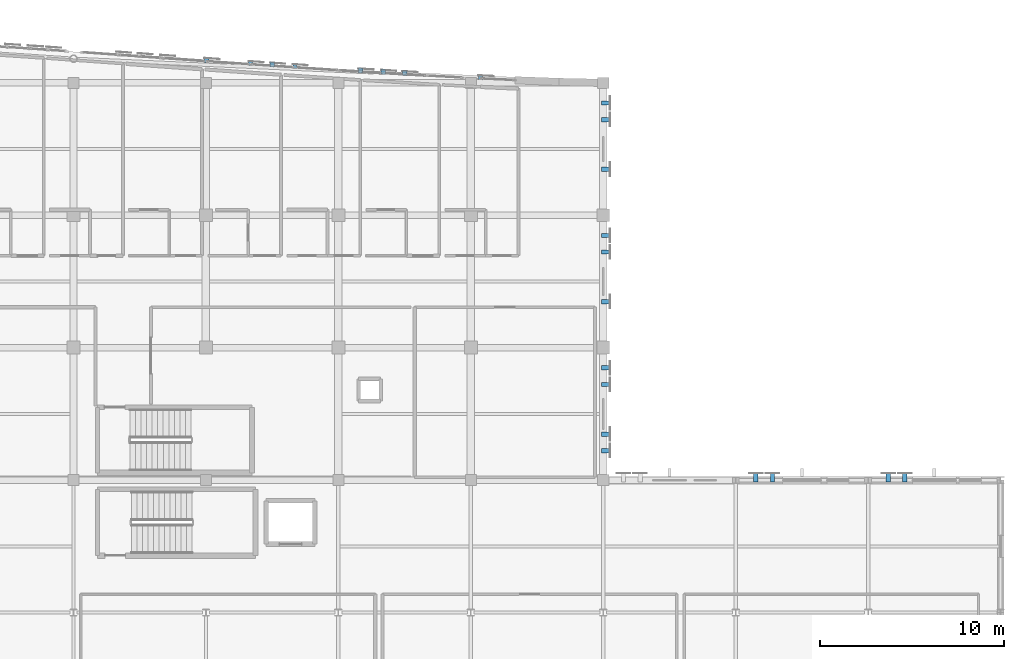
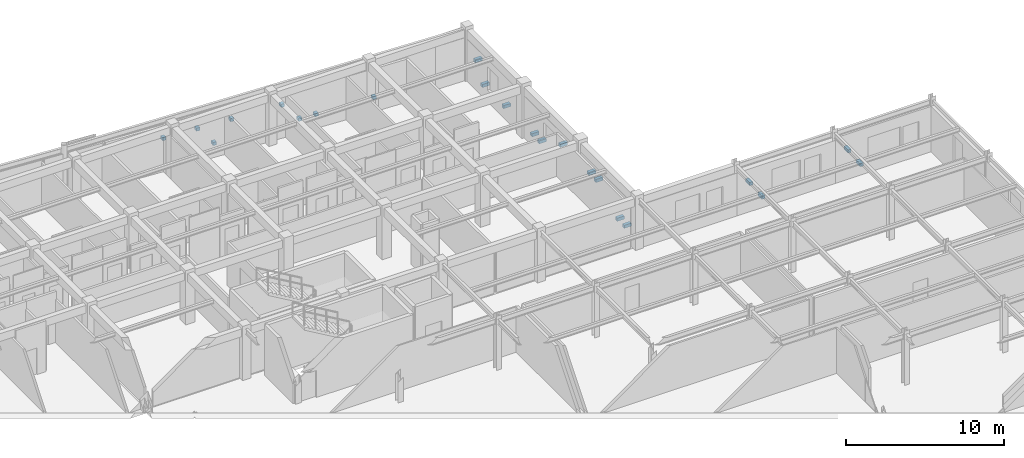
# One storey, part 105 of 113: 22 discrete accessories.
"""IFC4 building model written with IfcOpenShell, lengths in metres."""

import ifcopenshell
import ifcopenshell.guid

model = None  # the IFC model being written
_history = None  # IfcOwnerHistory: only IFC2X3 demands one
_inside = {}  # id of a spatial element -> (the spatial element, [elements in it])
_under = {}  # id of a project, library or spatial element -> (it, [spatial elements below it])
_declared = {}  # id of a project -> (the project, [libraries it declares])
_typed = {}  # id of a type object -> (the type object, [elements of that type])
_made_of = {}  # id of a material, layer set ... -> (it, [elements and type objects made of it])


def new_model(schema):
    """Start an empty IFC model of exactly this schema.

    Asked for "IFC4X3", IfcOpenShell would pick the latest addendum, in which some entities
    have other attributes; the version numbers below select the first issue.
    IFC2X3 requires an IfcOwnerHistory on every rooted entity: one is made here for all.
    """
    global model, _history
    if schema == "IFC4X3":
        model = ifcopenshell.file(schema_version=(4, 3, 0, 0))
    else:
        model = ifcopenshell.file(schema=schema)
    _inside.clear()
    _under.clear()
    _declared.clear()
    _typed.clear()
    _made_of.clear()
    _history = None
    if model.schema == "IFC2X3":
        org = make("IfcOrganization", Name="unknown")
        user = make(
            "IfcPersonAndOrganization",
            ThePerson=make("IfcPerson", FamilyName="unknown"),
            TheOrganization=org,
        )
        app = make(
            "IfcApplication",
            ApplicationDeveloper=org,
            Version="unknown",
            ApplicationFullName="unknown",
            ApplicationIdentifier="unknown",
        )
        _history = make(
            "IfcOwnerHistory",
            OwningUser=user,
            OwningApplication=app,
            ChangeAction="ADDED",
            CreationDate=0,
        )
    return model


def make(cls, **values):
    """One entity of the class cls with the attributes given. An attribute that is None is left unset."""
    return model.create_entity(
        cls, **{name: value for name, value in values.items() if value is not None}
    )


def rooted(cls, **values):
    """An entity with a GlobalId (a new one), such as an element, a storey or a relation."""
    return make(cls, GlobalId=ifcopenshell.guid.new(), OwnerHistory=_history, **values)


def si_unit(unit_type, name, prefix=None):
    """IfcSIUnit, for example si_unit("LENGTHUNIT", "METRE", prefix="MILLI")."""
    return make("IfcSIUnit", UnitType=unit_type, Prefix=prefix, Name=name)


def assignment(units):
    """IfcUnitAssignment: the units of a project."""
    return None if units is None else make("IfcUnitAssignment", Units=units)


def point(xyz):
    """IfcCartesianPoint."""
    return None if xyz is None else make("IfcCartesianPoint", Coordinates=xyz)


def direction(xyz):
    """IfcDirection."""
    return None if xyz is None else make("IfcDirection", DirectionRatios=xyz)


def frame(location, z_axis=None, x_axis=None):
    """IfcAxis2Placement3D, a coordinate frame: its origin and axes. An axis left out is left unset."""
    return make(
        "IfcAxis2Placement3D",
        Location=point(location),
        Axis=direction(z_axis),
        RefDirection=direction(x_axis),
    )


def frame_2d(location, x_axis=None):
    """IfcAxis2Placement2D, a coordinate frame in the plane: its origin and x axis."""
    return make(
        "IfcAxis2Placement2D", Location=point(location), RefDirection=direction(x_axis)
    )


def origin():
    """The frame at (0, 0, 0) with its axes left unset."""
    return frame((0.0, 0.0, 0.0))


def origin_2d():
    """The frame at (0, 0) in the plane with its x axis left unset."""
    return frame_2d((0.0, 0.0))


def place(relative_to, where):
    """IfcLocalPlacement: puts the frame where relative to a parent placement (None: the world)."""
    return make(
        "IfcLocalPlacement", PlacementRelTo=relative_to, RelativePlacement=where
    )


def context(
    kind, dimensions, precision=None, world=None, true_north=None, identifier=None
):
    """IfcGeometricRepresentationContext, for example the 3D "Model" context."""
    return make(
        "IfcGeometricRepresentationContext",
        ContextIdentifier=identifier,
        ContextType=kind,
        CoordinateSpaceDimension=dimensions,
        Precision=precision,
        WorldCoordinateSystem=world,
        TrueNorth=true_north,
    )


def subcontext(parent, identifier, kind, view, scale=None):
    """IfcGeometricRepresentationSubContext, for example "Body" below "Model"."""
    return make(
        "IfcGeometricRepresentationSubContext",
        ContextIdentifier=identifier,
        ContextType=kind,
        ParentContext=parent,
        TargetScale=scale,
        TargetView=view,
    )


def project(units=None, contexts=None):
    """IfcProject with its units and contexts."""
    return rooted(
        "IfcProject",
        Name="project",
        RepresentationContexts=contexts,
        UnitsInContext=assignment(units),
    )


def spatial(cls, under=None, at=None, **own):
    """A site, building, storey or space (cls), placed at a placement, below another one or the project."""
    s = rooted(cls, ObjectPlacement=at, **own)
    if under is not None:
        _under.setdefault(under.id(), (under, []))[1].append(s)
    return s


def profile(cls, at=None, kind="AREA", **sizes):
    """A parametric profile (cls). Its sizes go by their IFC names, for example OverallWidth=200.0."""
    return make(cls, ProfileType=kind, Position=at, **sizes)


def rectangle(**sizes):
    """IfcRectangleProfileDef."""
    return profile("IfcRectangleProfileDef", **sizes)


def extrude(swept, where, along, depth):
    """IfcExtrudedAreaSolid: the profile swept, set in the frame where, extruded along a direction by depth."""
    return make(
        "IfcExtrudedAreaSolid",
        SweptArea=swept,
        Position=where,
        ExtrudedDirection=direction(along),
        Depth=depth,
    )


def shape(context_of_items, identifier, shape_type, items):
    """IfcShapeRepresentation: the items that make up one representation, for example the "Body"."""
    return make(
        "IfcShapeRepresentation",
        ContextOfItems=context_of_items,
        RepresentationIdentifier=identifier,
        RepresentationType=shape_type,
        Items=items,
    )


def material(Name=None, Category=None):
    """IfcMaterial."""
    return make("IfcMaterial", Name=Name, Category=Category)


def made_of(thing, what):
    """Note that an element or type object is made of a material, layer set ...; save() writes the relation."""
    if what is not None:
        _made_of.setdefault(what.id(), (what, []))[1].append(thing)
    return thing


def type_object(cls, material=None, **own):
    """A type object (cls), such as IfcWallType, which elements share."""
    return made_of(rooted(cls, **own), material)


def element(
    cls,
    number,
    at=None,
    inside=None,
    cuts=None,
    type_object=None,
    material=None,
    context=None,
    identifier="Body",
    shape_type=None,
    held_by="IfcProductDefinitionShape",
    body=None,
    shapes=None,
    **own,
):
    """One element of the class cls, such as IfcWall. Its Tag is "e" and its number.

    at: its placement. inside: the storey or other place that contains it. cuts: it is an
    opening in that element (IfcRelVoidsElement). A single representation is given by context,
    identifier, shape_type and body (its items); several are given by shapes. held_by: the class
    of the entity that holds the representations. save() writes the other relations.
    """
    e = rooted(cls, Tag="e%d" % number, ObjectPlacement=at, **own)
    if body is not None:
        shapes = [shape(context, identifier, shape_type, body)]
    if shapes is not None:
        e.Representation = make(held_by, Representations=shapes)
    if inside is not None:
        _inside.setdefault(inside.id(), (inside, []))[1].append(e)
    if cuts is not None:
        rooted(
            "IfcRelVoidsElement", RelatingBuildingElement=cuts, RelatedOpeningElement=e
        )
    if type_object is not None:
        _typed.setdefault(type_object.id(), (type_object, []))[1].append(e)
    return made_of(e, material)


def aggregate(whole, parts):
    """IfcRelAggregates: a whole, such as a stair, and the parts it consists of."""
    return rooted("IfcRelAggregates", RelatingObject=whole, RelatedObjects=parts)


def save(model, path):
    """Write the relations noted so far, then the file.

    IfcRelAggregates (storeys below a building ...), IfcRelContainedInSpatialStructure (elements
    in a storey), IfcRelDefinesByType, IfcRelAssociatesMaterial and IfcRelDeclares: one each for
    every whole, place, type object, material and project.
    """
    for whole, parts in _under.values():
        aggregate(whole, parts)
    for where, things in _inside.values():
        rooted(
            "IfcRelContainedInSpatialStructure",
            RelatedElements=things,
            RelatingStructure=where,
        )
    for kind, things in _typed.values():
        rooted("IfcRelDefinesByType", RelatedObjects=things, RelatingType=kind)
    for what, things in _made_of.values():
        rooted("IfcRelAssociatesMaterial", RelatedObjects=things, RelatingMaterial=what)
    for by, libraries in _declared.values():
        rooted("IfcRelDeclares", RelatingContext=by, RelatedDefinitions=libraries)
    model.write(path)


model = new_model("IFC4")

# Units and contexts
model_context = context("Model", 3, precision=1e-05, world=origin(), true_north=direction((0.0, 1.0)))
body_context = subcontext(model_context, "Body", "Model", "MODEL_VIEW")
ifc_project = project(units=[si_unit("LENGTHUNIT", "METRE"), si_unit("AREAUNIT", "SQUARE_METRE"), si_unit("VOLUMEUNIT", "CUBIC_METRE"), si_unit("PLANEANGLEUNIT", "RADIAN"), si_unit("MASSUNIT", "GRAM", prefix="KILO")], contexts=[model_context])

# Site, building, storey
site_placement = place(None, origin())
site = spatial("IfcSite", under=ifc_project, at=site_placement, CompositionType="ELEMENT")
building_placement = place(site_placement, origin())
building = spatial("IfcBuilding", under=site, at=building_placement, Name="Carrowvane Square Congress Hotel", CompositionType="ELEMENT")
storey_placement = place(building_placement, frame((0.0, 0.0, 15.0)))
storey = spatial("IfcBuildingStorey", under=building, at=storey_placement, Name="L03", CompositionType="ELEMENT", Elevation=15.0)

# Discrete accessories
ifc_material = material(Name="Stainless steel 316", Category="steel")
discrete_accessory_type = type_object("IfcDiscreteAccessoryType", Name="ACC-BRK-SS", PredefinedType="BRACKET", material=ifc_material)
for number, where, z_axis, x_axis, name in (
    (1, (141.240478515625, 114.648681640625, 2.02978515625), (0.0, 0.0, 1.0), (0.997505756275, -0.070585169822, 0.0), "Pixel screen mullion bracket 256"),
    (2, (143.635498046875, 114.479248046875, 2.02978515625), (0.0, 0.0, 1.0), (0.99761759323, -0.068986503591, 0.0), "Pixel screen mullion bracket 257"),
    (3, (144.805419921875, 114.398193359375, 0.56005859375), (0.0, 0.0, 1.0), (0.99761759323, -0.068986503591, 0.0), "Pixel screen mullion bracket 258"),
    (4, (146.040283203125, 114.31298828125, 2.02978515625), (0.0, 0.0, 1.0), (0.997781458784, -0.066574473385, 0.0), "Pixel screen mullion bracket 259"),
    (5, (149.60498046875, 114.0791015625, 2.02978515625), (0.0, 0.0, 1.0), (0.997996022269, -0.063276690295, 0.0), "Pixel screen mullion bracket 260"),
    (6, (150.839599609375, 114.0009765625, 0.56005859375), (0.0, 0.0, 1.0), (0.998258866948, -0.05898503675, 0.0), "Pixel screen mullion bracket 261"),
    (7, (152.004638671875, 113.93212890625, 0.56005859375), (0.0, 0.0, 1.0), (0.998258866948, -0.05898503675, 0.0), "Pixel screen mullion bracket 262"),
    (8, (156.127197265625, 113.708251953125, 0.56005859375), (0.0, 0.0, 1.0), (0.99891730083, -0.046521243556, 0.0), "Pixel screen mullion bracket 263"),
):
    element("IfcDiscreteAccessory", number, at=place(storey_placement, frame(where, z_axis=z_axis, x_axis=x_axis)), inside=storey, type_object=discrete_accessory_type, Name=name, PredefinedType="BRACKET", context=body_context, shape_type="SweptSolid", body=[
        extrude(rectangle(XDim=0.239990234375, YDim=0.280029296875, at=origin_2d()), origin(), (0.0, 0.0, 1.0), 0.239990234375),
    ])
for number, where, z_axis, x_axis, name in (
    (9, (162.9599609375, 112.300048828125, 1.93017578125), (0.0, 0.0, 1.0), (0.0, -1.0, 0.0), "V5 pixel screen bracket 264"),
    (10, (162.9599609375, 111.39990234375, 0.56005859375), (0.0, 0.0, 1.0), (0.0, -1.0, 0.0), "V5 pixel screen bracket 265"),
    (11, (162.9599609375, 108.699951171875, 0.56005859375), (0.0, 0.0, 1.0), (0.0, -1.0, 0.0), "V5 pixel screen bracket 266"),
    (12, (162.9599609375, 105.10009765625, 0.56005859375), (0.0, 0.0, 1.0), (0.0, -1.0, 0.0), "V5 pixel screen bracket 267"),
    (13, (162.9599609375, 104.199951171875, 0.56005859375), (0.0, 0.0, 1.0), (0.0, -1.0, 0.0), "V5 pixel screen bracket 268"),
    (14, (162.9599609375, 101.5, 1.93017578125), (0.0, 0.0, 1.0), (0.0, -1.0, 0.0), "V5 pixel screen bracket 269"),
    (15, (162.9599609375, 97.89990234375, 1.93017578125), (0.0, 0.0, 1.0), (0.0, -1.0, 0.0), "V5 pixel screen bracket 270"),
    (16, (162.9599609375, 97.0, 1.93017578125), (0.0, 0.0, 1.0), (0.0, -1.0, 0.0), "V5 pixel screen bracket 271"),
    (17, (162.9599609375, 94.300048828125, 0.56005859375), (0.0, 0.0, 1.0), (0.0, -1.0, 0.0), "V5 pixel screen bracket 272"),
    (18, (162.9599609375, 93.39990234375, 0.56005859375), (0.0, 0.0, 1.0), (0.0, -1.0, 0.0), "V5 pixel screen bracket 273"),
    (19, (171.10009765625, 91.9599609375, 1.93017578125), (0.0, 0.0, 1.0), (1.0, 0.0, 0.0), "V5 pixel screen bracket 276"),
    (20, (172.0, 91.9599609375, 0.56005859375), (0.0, 0.0, 1.0), (1.0, 0.0, 0.0), "V5 pixel screen bracket 277"),
    (21, (178.300048828125, 91.9599609375, 1.93017578125), (0.0, 0.0, 1.0), (1.0, 0.0, 0.0), "V5 pixel screen bracket 278"),
    (22, (179.199951171875, 91.9599609375, 0.56005859375), (0.0, 0.0, 1.0), (1.0, 0.0, 0.0), "V5 pixel screen bracket 279"),
):
    element("IfcDiscreteAccessory", number, at=place(storey_placement, frame(where, z_axis=z_axis, x_axis=x_axis)), inside=storey, type_object=discrete_accessory_type, Name=name, PredefinedType="BRACKET", context=body_context, shape_type="SweptSolid", body=[
        extrude(rectangle(XDim=0.239990234375, YDim=0.52001953125, at=origin_2d()), origin(), (0.0, 0.0, 1.0), 0.239990234375),
    ])

save(model, "model.ifc")
